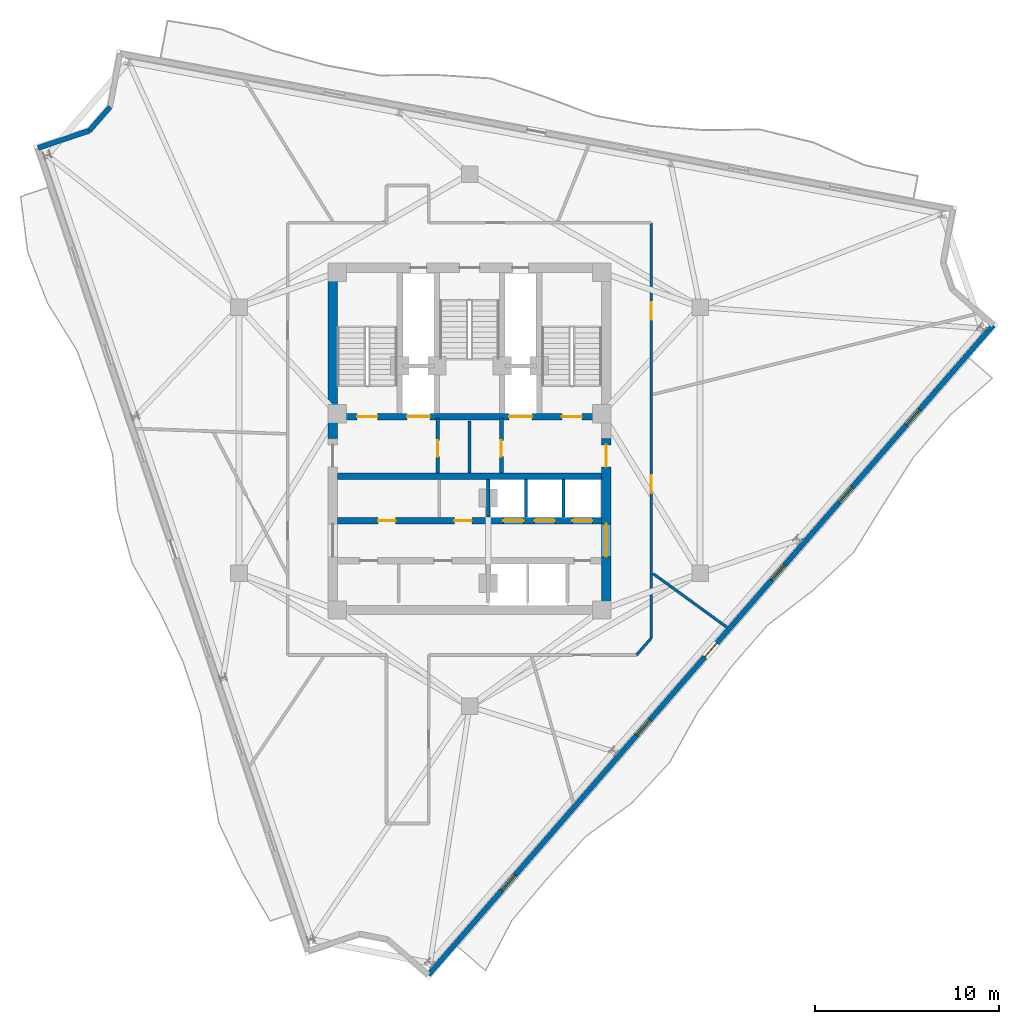
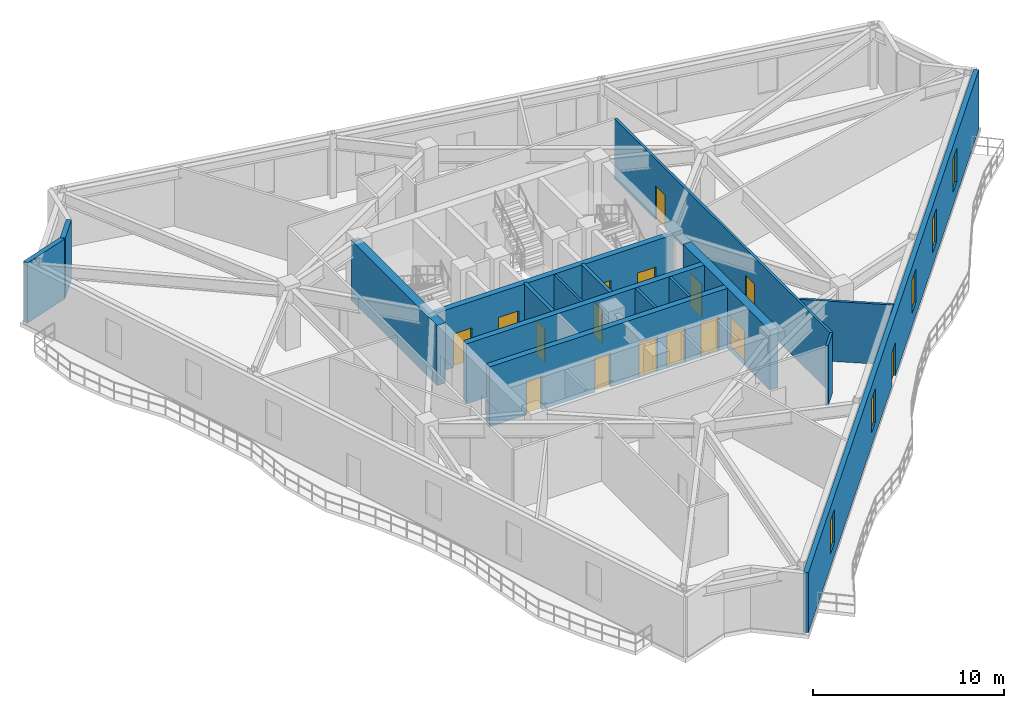
# One storey, part 5 of 9: 17 walls, 16 doors, 5 windows, 21 openings.
"""IFC4 building model written with IfcOpenShell, lengths in metres."""

from ifc_helpers import new_model, si_unit, direction, frame, frame_2d, origin, place, context, subcontext, project, spatial, rectangle, extrude, material, layer, layer_set, type_object, element, fill, save


model = new_model("IFC4")

# Units and contexts
model_context = context("Model", 3, precision=1e-05, world=origin(), true_north=direction((0.0, 1.0)))
body_context = subcontext(model_context, "Body", "Model", "MODEL_VIEW")
ifc_project = project(units=[si_unit("LENGTHUNIT", "METRE"), si_unit("AREAUNIT", "SQUARE_METRE"), si_unit("VOLUMEUNIT", "CUBIC_METRE"), si_unit("PLANEANGLEUNIT", "RADIAN"), si_unit("MASSUNIT", "GRAM", prefix="KILO")], contexts=[model_context])

# Site, building, storey
site_placement = place(None, origin())
site = spatial("IfcSite", under=ifc_project, at=site_placement, CompositionType="ELEMENT")
building_placement = place(site_placement, origin())
building = spatial("IfcBuilding", under=site, at=building_placement, Name="Apsidion Concourse Tower", CompositionType="ELEMENT")
storey_placement = place(building_placement, frame((0.0, 0.0, 273.699951171875)))
storey = spatial("IfcBuildingStorey", under=building, at=storey_placement, Name="L64", CompositionType="ELEMENT", Elevation=273.699951171875)

# Wall, openings, door, windows
ifc_material_1 = material(Name="Precast concrete C40/50", Category="concrete")
ifc_layer_1 = layer(ifc_material_1, 0.280029296875)
ifc_layer_set_1 = layer_set([ifc_layer_1], Name="Precast concrete C40/50")
wall_type_1 = type_object("IfcWallType", Name="WL-EXT-280", PredefinedType="STANDARD", material=ifc_layer_set_1)
wall_1_placement = place(storey_placement, frame((28.531494140625, 6.267578125, 0.0), z_axis=(0.0, 0.0, 1.0), x_axis=(-0.656055748756, -0.754712431674, 0.0)))
wall_1 = element("IfcWall", 1, at=wall_1_placement, inside=storey, type_object=wall_type_1, Name="L64 Precast Stone Facade Wall 05", PredefinedType="STANDARD", context=body_context, shape_type="SweptSolid", body=[
    extrude(rectangle(XDim=46.89697265625, YDim=0.280029296875, at=frame_2d((23.448486328125, 0.0))), origin(), (0.0, 0.0, 1.0), 3.85009765625),
])
opening_1_placement = place(wall_1_placement, frame((22.948486328125, 0.0, 0.0)))
opening_1 = element("IfcOpeningElement", 2, at=opening_1_placement, cuts=wall_1, Name="Opening D-T1R", PredefinedType="OPENING", context=body_context, shape_type="SweptSolid", body=[
    extrude(rectangle(XDim=1.0, YDim=2.14990234375, at=frame_2d((0.5, 1.074951171875))), frame((0.0, 0.14990234375, 0.0), z_axis=(0.0, -1.0, 0.0), x_axis=(1.0, 0.0, 0.0)), (0.0, 0.0, 1.0), 0.300048828125),
])
opening_2_placement = place(wall_1_placement, frame((6.0986328125, 0.0, 0.85009765625)))
opening_2 = element("IfcOpeningElement", 3, at=opening_2_placement, cuts=wall_1, Name="Opening WN-07", PredefinedType="OPENING", context=body_context, shape_type="SweptSolid", body=[
    extrude(rectangle(XDim=1.10009765625, YDim=2.14990234375, at=frame_2d((0.550048828125, 1.074951171875))), frame((0.0, 0.14990234375, 0.0), z_axis=(0.0, -1.0, 0.0), x_axis=(1.0, 0.0, 0.0)), (0.0, 0.0, 1.0), 0.300048828125),
])
opening_3_placement = place(wall_1_placement, frame((11.698486328125, 0.0, 0.85009765625)))
opening_3 = element("IfcOpeningElement", 4, at=opening_3_placement, cuts=wall_1, Name="Opening WN-07", PredefinedType="OPENING", context=body_context, shape_type="SweptSolid", body=[
    extrude(rectangle(XDim=1.10009765625, YDim=2.14990234375, at=frame_2d((0.550048828125, 1.074951171875))), frame((0.0, 0.14990234375, 0.0), z_axis=(0.0, -1.0, 0.0), x_axis=(1.0, 0.0, 0.0)), (0.0, 0.0, 1.0), 0.300048828125),
])
opening_4_placement = place(wall_1_placement, frame((17.298583984375, 0.0, 0.85009765625)))
opening_4 = element("IfcOpeningElement", 5, at=opening_4_placement, cuts=wall_1, Name="Opening WN-07", PredefinedType="OPENING", context=body_context, shape_type="SweptSolid", body=[
    extrude(rectangle(XDim=1.10009765625, YDim=2.14990234375, at=frame_2d((0.550048828125, 1.074951171875))), frame((0.0, 0.14990234375, 0.0), z_axis=(0.0, -1.0, 0.0), x_axis=(1.0, 0.0, 0.0)), (0.0, 0.0, 1.0), 0.300048828125),
])
opening_5_placement = place(wall_1_placement, frame((28.49853515625, 0.0, 0.85009765625)))
opening_5 = element("IfcOpeningElement", 6, at=opening_5_placement, cuts=wall_1, Name="Opening WN-07", PredefinedType="OPENING", context=body_context, shape_type="SweptSolid", body=[
    extrude(rectangle(XDim=1.10009765625, YDim=2.14990234375, at=frame_2d((0.550048828125, 1.074951171875))), frame((0.0, 0.14990234375, 0.0), z_axis=(0.0, -1.0, 0.0), x_axis=(1.0, 0.0, 0.0)), (0.0, 0.0, 1.0), 0.300048828125),
])
opening_6_placement = place(wall_1_placement, frame((39.698486328125, 0.0, 0.85009765625)))
opening_6 = element("IfcOpeningElement", 7, at=opening_6_placement, cuts=wall_1, Name="Opening WN-07", PredefinedType="OPENING", context=body_context, shape_type="SweptSolid", body=[
    extrude(rectangle(XDim=1.10009765625, YDim=2.14990234375, at=frame_2d((0.550048828125, 1.074951171875))), frame((0.0, 0.14990234375, 0.0), z_axis=(0.0, -1.0, 0.0), x_axis=(1.0, 0.0, 0.0)), (0.0, 0.0, 1.0), 0.300048828125),
])
ifc_material_2 = material(Name="Anodised aluminium EN AW-6063 T6", Category="aluminium")
door_type_1 = type_object("IfcDoorType", Name="DR-TER-1022R", OperationType="SINGLE_SWING_RIGHT", PredefinedType="DOOR", material=ifc_material_2)
door_1_placement = place(opening_1_placement, origin())
door_1 = element("IfcDoor", 8, at=door_1_placement, inside=storey, type_object=door_type_1, Name="L64 Balcony Access Door 2", OperationType="SINGLE_SWING_RIGHT", OverallHeight=2.14990234375, OverallWidth=1.0, PredefinedType="DOOR", context=body_context, shape_type="SweptSolid", body=[
    extrude(rectangle(XDim=1.0, YDim=2.14990234375, at=frame_2d((0.5, 1.074951171875))), frame((0.0, 0.02490234375, 0.0), z_axis=(0.0, -1.0, 0.0), x_axis=(1.0, 0.0, 0.0)), (0.0, 0.0, 1.0), 0.050048828125),
])
fill(opening_1, door_1)
ifc_material_3 = material(Name="Insulated laminated low-E glass", Category="glass")
window_type = type_object("IfcWindowType", Name="WN-OFF-1123", PartitioningType="SINGLE_PANEL", PredefinedType="WINDOW", material=ifc_material_3)
window_1_placement = place(opening_2_placement, origin())
window_1 = element("IfcWindow", 9, at=window_1_placement, inside=storey, type_object=window_type, Name="L64 Punched Facade Window 5-01", OverallHeight=2.14990234375, OverallWidth=1.10009765625, PartitioningType="SINGLE_PANEL", PredefinedType="WINDOW", context=body_context, shape_type="SweptSolid", body=[
    extrude(rectangle(XDim=1.10009765625, YDim=2.14990234375, at=frame_2d((0.550048828125, 1.074951171875))), frame((0.0, 0.030029296875, 0.0), z_axis=(0.0, -1.0, 0.0), x_axis=(1.0, 0.0, 0.0)), (0.0, 0.0, 1.0), 0.06005859375),
])
fill(opening_2, window_1)
window_2_placement = place(opening_3_placement, origin())
window_2 = element("IfcWindow", 10, at=window_2_placement, inside=storey, type_object=window_type, Name="L64 Punched Facade Window 5-02", OverallHeight=2.14990234375, OverallWidth=1.10009765625, PartitioningType="SINGLE_PANEL", PredefinedType="WINDOW", context=body_context, shape_type="SweptSolid", body=[
    extrude(rectangle(XDim=1.10009765625, YDim=2.14990234375, at=frame_2d((0.550048828125, 1.074951171875))), frame((0.0, 0.030029296875, 0.0), z_axis=(0.0, -1.0, 0.0), x_axis=(1.0, 0.0, 0.0)), (0.0, 0.0, 1.0), 0.06005859375),
])
fill(opening_3, window_2)
window_3_placement = place(opening_4_placement, origin())
window_3 = element("IfcWindow", 11, at=window_3_placement, inside=storey, type_object=window_type, Name="L64 Punched Facade Window 5-03", OverallHeight=2.14990234375, OverallWidth=1.10009765625, PartitioningType="SINGLE_PANEL", PredefinedType="WINDOW", context=body_context, shape_type="SweptSolid", body=[
    extrude(rectangle(XDim=1.10009765625, YDim=2.14990234375, at=frame_2d((0.550048828125, 1.074951171875))), frame((0.0, 0.030029296875, 0.0), z_axis=(0.0, -1.0, 0.0), x_axis=(1.0, 0.0, 0.0)), (0.0, 0.0, 1.0), 0.06005859375),
])
fill(opening_4, window_3)
window_4_placement = place(opening_5_placement, origin())
window_4 = element("IfcWindow", 12, at=window_4_placement, inside=storey, type_object=window_type, Name="L64 Punched Facade Window 5-05", OverallHeight=2.14990234375, OverallWidth=1.10009765625, PartitioningType="SINGLE_PANEL", PredefinedType="WINDOW", context=body_context, shape_type="SweptSolid", body=[
    extrude(rectangle(XDim=1.10009765625, YDim=2.14990234375, at=frame_2d((0.550048828125, 1.074951171875))), frame((0.0, 0.030029296875, 0.0), z_axis=(0.0, -1.0, 0.0), x_axis=(1.0, 0.0, 0.0)), (0.0, 0.0, 1.0), 0.06005859375),
])
fill(opening_5, window_4)
window_5_placement = place(opening_6_placement, origin())
window_5 = element("IfcWindow", 13, at=window_5_placement, inside=storey, type_object=window_type, Name="L64 Punched Facade Window 5-07", OverallHeight=2.14990234375, OverallWidth=1.10009765625, PartitioningType="SINGLE_PANEL", PredefinedType="WINDOW", context=body_context, shape_type="SweptSolid", body=[
    extrude(rectangle(XDim=1.10009765625, YDim=2.14990234375, at=frame_2d((0.550048828125, 1.074951171875))), frame((0.0, 0.030029296875, 0.0), z_axis=(0.0, -1.0, 0.0), x_axis=(1.0, 0.0, 0.0)), (0.0, 0.0, 1.0), 0.06005859375),
])
fill(opening_6, window_5)

# Walls
wall_2_placement = place(storey_placement, frame((-23.511474609375, 15.92431640625, 0.0), z_axis=(0.0, 0.0, 1.0), x_axis=(0.9478040536, 0.31885337693, 0.0)))
element("IfcWall", 14, at=wall_2_placement, inside=storey, type_object=wall_type_1, Name="L64 Precast Stone Facade Wall 10", PredefinedType="STANDARD", context=body_context, shape_type="SweptSolid", body=[
    extrude(rectangle(XDim=2.95556640625, YDim=0.280029296875, at=frame_2d((1.477783203125, 0.0))), origin(), (0.0, 0.0, 1.0), 3.85009765625),
])
wall_3_placement = place(storey_placement, frame((-20.710205078125, 16.86669921875, 0.0), z_axis=(0.0, 0.0, 1.0), x_axis=(0.656062411204, 0.754706640096, 0.0)))
element("IfcWall", 15, at=wall_3_placement, inside=storey, type_object=wall_type_1, Name="L64 Precast Stone Facade Wall 11", PredefinedType="STANDARD", context=body_context, shape_type="SweptSolid", body=[
    extrude(rectangle(XDim=1.715087890625, YDim=0.280029296875, at=frame_2d((0.857421875, 0.0))), origin(), (0.0, 0.0, 1.0), 3.85009765625),
])
ifc_material_4 = material(Name="Gypsum plasterboard partition")
ifc_layer_2 = layer(ifc_material_4, 0.14990234375)
ifc_layer_set_2 = layer_set([ifc_layer_2], Name="Gypsum plasterboard partition")
wall_type_2 = type_object("IfcWallType", Name="WL-INT-PAR-150", PredefinedType="PARTITIONING", material=ifc_layer_set_2)
for number, where, z_axis, x_axis, name in (
    (16, (3.074951171875, -4.179931640625, 0.0), (0.0, 0.0, 1.0), (0.0, 1.0, 0.0), "L64 Interior Partition WL-L64-B3DIV-1"),
    (17, (5.125, -4.179931640625, 0.0), (0.0, 0.0, 1.0), (0.0, 1.0, 0.0), "L64 Interior Partition WL-L64-B3DIV-2"),
):
    element("IfcWall", number, at=place(storey_placement, frame(where, z_axis=z_axis, x_axis=x_axis)), inside=storey, type_object=wall_type_2, Name=name, PredefinedType="PARTITIONING", context=body_context, shape_type="SweptSolid", body=[
        extrude(rectangle(XDim=2.030029296875, YDim=0.14990234375, at=frame_2d((1.01513671875, 0.0))), origin(), (0.0, 0.0, 1.0), 3.85009765625),
    ])
wall_4_placement = place(storey_placement, frame((0.0, -1.780029296875, 0.0), z_axis=(0.0, 0.0, 1.0), x_axis=(0.0, 1.0, 0.0)))
element("IfcWall", 18, at=wall_4_placement, inside=storey, type_object=wall_type_2, Name="L64 Interior Partition WL-L64-K3V", PredefinedType="PARTITIONING", context=body_context, shape_type="SweptSolid", body=[
    extrude(rectangle(XDim=2.830078125, YDim=0.14990234375, at=frame_2d((1.4150390625, 0.0))), origin(), (0.0, 0.0, 1.0), 3.85009765625),
])

# Wall, openings, doors
wall_5_placement = place(storey_placement, frame((9.89990234375, 11.85009765625, 0.0), z_axis=(0.0, 0.0, 1.0), x_axis=(0.0, -1.0, 0.0)))
wall_5 = element("IfcWall", 19, at=wall_5_placement, inside=storey, type_object=wall_type_2, Name="L64 Interior Partition WL-L64-CORR-08", PredefinedType="PARTITIONING", context=body_context, shape_type="SweptSolid", body=[
    extrude(rectangle(XDim=22.633544921875, YDim=0.14990234375, at=frame_2d((11.31689453125, 0.0))), origin(), (0.0, 0.0, 1.0), 3.85009765625),
])
opening_7_placement = place(wall_5_placement, frame((13.763671875, 0.0, 0.0)))
opening_7 = element("IfcOpeningElement", 20, at=opening_7_placement, cuts=wall_5, Name="Opening D-01R", PredefinedType="OPENING", context=body_context, shape_type="SweptSolid", body=[
    extrude(rectangle(XDim=0.949951171875, YDim=2.14990234375, at=frame_2d((0.47509765625, 1.074951171875))), frame((0.0, 0.0849609375, 0.0), z_axis=(0.0, -1.0, 0.0), x_axis=(1.0, 0.0, 0.0)), (0.0, 0.0, 1.0), 0.169921875),
])
opening_8_placement = place(wall_5_placement, frame((4.33251953125, 0.0, 0.0)))
opening_8 = element("IfcOpeningElement", 21, at=opening_8_placement, cuts=wall_5, Name="Opening D-01L", PredefinedType="OPENING", context=body_context, shape_type="SweptSolid", body=[
    extrude(rectangle(XDim=0.949951171875, YDim=2.14990234375, at=frame_2d((0.47509765625, 1.074951171875))), frame((0.0, 0.0849609375, 0.0), z_axis=(0.0, -1.0, 0.0), x_axis=(1.0, 0.0, 0.0)), (0.0, 0.0, 1.0), 0.169921875),
])
ifc_material_5 = material(Name="Brushed stainless steel 316", Category="steel")
door_type_2 = type_object("IfcDoorType", Name="DR-INT-D01L", OperationType="SINGLE_SWING_LEFT", PredefinedType="DOOR", material=ifc_material_5)
door_2_placement = place(opening_8_placement, origin())
door_2 = element("IfcDoor", 22, at=door_2_placement, inside=storey, type_object=door_type_2, Name="L64 Corridor Entry Door 05", OperationType="SINGLE_SWING_LEFT", OverallHeight=2.14990234375, OverallWidth=0.949951171875, PredefinedType="DOOR", context=body_context, shape_type="SweptSolid", body=[
    extrude(rectangle(XDim=0.949951171875, YDim=2.14990234375, at=frame_2d((0.47509765625, 1.074951171875))), frame((0.0, 0.02490234375, 0.0), z_axis=(0.0, -1.0, 0.0), x_axis=(1.0, 0.0, 0.0)), (0.0, 0.0, 1.0), 0.050048828125),
])
fill(opening_8, door_2)
door_type_3 = type_object("IfcDoorType", Name="DR-INT-D01R", OperationType="SINGLE_SWING_RIGHT", PredefinedType="DOOR", material=ifc_material_5)
door_3_placement = place(opening_7_placement, origin())
door_3 = element("IfcDoor", 23, at=door_3_placement, inside=storey, type_object=door_type_3, Name="L64 Corridor Entry Door 04", OperationType="SINGLE_SWING_RIGHT", OverallHeight=2.14990234375, OverallWidth=0.949951171875, PredefinedType="DOOR", context=body_context, shape_type="SweptSolid", body=[
    extrude(rectangle(XDim=0.949951171875, YDim=2.14990234375, at=frame_2d((0.47509765625, 1.074951171875))), frame((0.0, 0.02490234375, 0.0), z_axis=(0.0, -1.0, 0.0), x_axis=(1.0, 0.0, 0.0)), (0.0, 0.0, 1.0), 0.050048828125),
])
fill(opening_7, door_3)

# Walls
wall_6_placement = place(storey_placement, frame((9.89990234375, -10.783447265625, 0.0), z_axis=(0.0, 0.0, 1.0), x_axis=(-0.656024397367, -0.754739683639, 0.0)))
element("IfcWall", 24, at=wall_6_placement, inside=storey, type_object=wall_type_2, Name="L64 Interior Partition WL-L64-CORR-09", PredefinedType="PARTITIONING", context=body_context, shape_type="SweptSolid", body=[
    extrude(rectangle(XDim=1.21435546875, YDim=0.14990234375, at=frame_2d((0.607177734375, 0.0))), origin(), (0.0, 0.0, 1.0), 3.85009765625),
])
wall_7_placement = place(storey_placement, frame((10.0048828125, -7.26904296875, 0.0), z_axis=(0.0, 0.0, 1.0), x_axis=(0.809029403969, -0.587768171572, 0.0)))
element("IfcWall", 25, at=wall_7_placement, inside=storey, type_object=wall_type_2, Name="L64 Interior Partition WL-L64-RAD-07-1", PredefinedType="PARTITIONING", context=body_context, shape_type="SweptSolid", body=[
    extrude(rectangle(XDim=4.96533203125, YDim=0.14990234375, at=frame_2d((2.482666015625, 0.0))), origin(), (0.0, 0.0, 1.0), 3.85009765625),
])
ifc_layer_3 = layer(ifc_material_4, 0.179931640625)
ifc_layer_set_3 = layer_set([ifc_layer_3], Name="Gypsum plasterboard partition")
wall_type_3 = type_object("IfcWallType", Name="WL-INT-PAR-180", PredefinedType="PARTITIONING", material=ifc_layer_set_3)
wall_8_placement = place(storey_placement, frame((1.02490234375, -4.179931640625, 0.0), z_axis=(0.0, 0.0, 1.0), x_axis=(0.0, 1.0, 0.0)))
element("IfcWall", 26, at=wall_8_placement, inside=storey, type_object=wall_type_3, Name="L64 Interior Partition WL-L64-B1END", PredefinedType="PARTITIONING", context=body_context, shape_type="SweptSolid", body=[
    extrude(rectangle(XDim=2.030029296875, YDim=0.179931640625, at=frame_2d((1.01513671875, 0.0))), origin(), (0.0, 0.0, 1.0), 2.89794921875),
])

# Wall, opening, door
ifc_layer_4 = layer(ifc_material_4, 0.199951171875)
ifc_layer_set_4 = layer_set([ifc_layer_4], Name="Gypsum plasterboard partition")
wall_type_4 = type_object("IfcWallType", Name="WL-INT-PAR-200", PredefinedType="PARTITIONING", material=ifc_layer_set_4)
wall_9_placement = place(storey_placement, frame((-1.739990234375, -1.780029296875, 0.0), z_axis=(0.0, 0.0, 1.0), x_axis=(0.0, 1.0, 0.0)))
wall_9 = element("IfcWall", 27, at=wall_9_placement, inside=storey, type_object=wall_type_4, Name="L64 Interior Partition WL-L64-FF1-E", PredefinedType="PARTITIONING", context=body_context, shape_type="SweptSolid", body=[
    extrude(rectangle(XDim=2.97998046875, YDim=0.199951171875, at=frame_2d((1.489990234375, 0.0))), origin(), (0.0, 0.0, 1.0), 3.85009765625),
])
opening_9_placement = place(wall_9_placement, frame((0.889892578125, 0.0, 0.0)))
opening_9 = element("IfcOpeningElement", 28, at=opening_9_placement, cuts=wall_9, Name="Opening D-05R", PredefinedType="OPENING", context=body_context, shape_type="SweptSolid", body=[
    extrude(rectangle(XDim=0.8798828125, YDim=2.14990234375, at=frame_2d((0.43994140625, 1.074951171875))), frame((0.0, 0.10986328125, 0.0), z_axis=(0.0, -1.0, 0.0), x_axis=(1.0, 0.0, 0.0)), (0.0, 0.0, 1.0), 0.219970703125),
])
door_type_4 = type_object("IfcDoorType", Name="DR-INT-D05R", OperationType="SINGLE_SWING_RIGHT", PredefinedType="DOOR", material=ifc_material_5)
door_4_placement = place(opening_9_placement, origin())
door_4 = element("IfcDoor", 29, at=door_4_placement, inside=storey, type_object=door_type_4, Name="L64 Core Pantry Door", OperationType="SINGLE_SWING_RIGHT", OverallHeight=2.14990234375, OverallWidth=0.8798828125, PredefinedType="DOOR", context=body_context, shape_type="SweptSolid", body=[
    extrude(rectangle(XDim=0.8798828125, YDim=2.14990234375, at=frame_2d((0.43994140625, 1.074951171875))), frame((0.0, 0.02490234375, 0.0), z_axis=(0.0, -1.0, 0.0), x_axis=(1.0, 0.0, 0.0)), (0.0, 0.0, 1.0), 0.050048828125),
])
fill(opening_9, door_4)

wall_10_placement = place(storey_placement, frame((1.739990234375, -1.780029296875, 0.0), z_axis=(0.0, 0.0, 1.0), x_axis=(0.0, 1.0, 0.0)))
wall_10 = element("IfcWall", 30, at=wall_10_placement, inside=storey, type_object=wall_type_4, Name="L64 Interior Partition WL-L64-FF2-W", PredefinedType="PARTITIONING", context=body_context, shape_type="SweptSolid", body=[
    extrude(rectangle(XDim=2.97998046875, YDim=0.199951171875, at=frame_2d((1.489990234375, 0.0))), origin(), (0.0, 0.0, 1.0), 3.85009765625),
])
opening_10_placement = place(wall_10_placement, frame((0.889892578125, 0.0, 0.0)))
opening_10 = element("IfcOpeningElement", 31, at=opening_10_placement, cuts=wall_10, Name="Opening D-05L", PredefinedType="OPENING", context=body_context, shape_type="SweptSolid", body=[
    extrude(rectangle(XDim=0.8798828125, YDim=2.14990234375, at=frame_2d((0.43994140625, 1.074951171875))), frame((0.0, 0.10986328125, 0.0), z_axis=(0.0, -1.0, 0.0), x_axis=(1.0, 0.0, 0.0)), (0.0, 0.0, 1.0), 0.219970703125),
])
door_type_5 = type_object("IfcDoorType", Name="DR-INT-D05L", OperationType="SINGLE_SWING_LEFT", PredefinedType="DOOR", material=ifc_material_5)
door_5_placement = place(opening_10_placement, origin())
door_5 = element("IfcDoor", 32, at=door_5_placement, inside=storey, type_object=door_type_5, Name="L64 Core Electrical Door", OperationType="SINGLE_SWING_LEFT", OverallHeight=2.14990234375, OverallWidth=0.8798828125, PredefinedType="DOOR", context=body_context, shape_type="SweptSolid", body=[
    extrude(rectangle(XDim=0.8798828125, YDim=2.14990234375, at=frame_2d((0.43994140625, 1.074951171875))), frame((0.0, 0.02490234375, 0.0), z_axis=(0.0, -1.0, 0.0), x_axis=(1.0, 0.0, 0.0)), (0.0, 0.0, 1.0), 0.050048828125),
])
fill(opening_10, door_5)

# Wall, openings, doors
ifc_material_6 = material(Name="Concrete C50/60", Category="concrete")
ifc_layer_5 = layer(ifc_material_6, 0.35009765625)
ifc_layer_set_5 = layer_set([ifc_layer_5], Name="Concrete C50/60")
wall_type_5 = type_object("IfcWallType", Name="WL-SH-350", PredefinedType="SHEAR", material=ifc_layer_set_5)
wall_11_placement = place(storey_placement, frame((-7.199951171875, 1.27490234375, 0.0), z_axis=(0.0, 0.0, 1.0), x_axis=(1.0, 0.0, 0.0)))
wall_11 = element("IfcWall", 33, at=wall_11_placement, inside=storey, type_object=wall_type_5, Name="L64 Central Core Shear Wall M1", PredefinedType="SHEAR", context=body_context, shape_type="SweptSolid", body=[
    extrude(rectangle(XDim=14.39990234375, YDim=0.35009765625, at=frame_2d((7.199951171875, 0.0))), origin(), (0.0, 0.0, 1.0), 3.85009765625),
])
opening_11_placement = place(wall_11_placement, frame((3.794921875, 0.0, 0.0)))
opening_11 = element("IfcOpeningElement", 34, at=opening_11_placement, cuts=wall_11, Name="Opening LD-FF", PredefinedType="OPENING", context=body_context, shape_type="SweptSolid", body=[
    extrude(rectangle(XDim=1.25, YDim=2.25, at=frame_2d((0.625, 1.125))), frame((0.0, 0.18505859375, 0.0), z_axis=(0.0, -1.0, 0.0), x_axis=(1.0, 0.0, 0.0)), (0.0, 0.0, 1.0), 0.3701171875),
])
opening_12_placement = place(wall_11_placement, frame((9.35498046875, 0.0, 0.0)))
opening_12 = element("IfcOpeningElement", 35, at=opening_12_placement, cuts=wall_11, Name="Opening LD-FF", PredefinedType="OPENING", context=body_context, shape_type="SweptSolid", body=[
    extrude(rectangle(XDim=1.25, YDim=2.25, at=frame_2d((0.625, 1.125))), frame((0.0, 0.18505859375, 0.0), z_axis=(0.0, -1.0, 0.0), x_axis=(1.0, 0.0, 0.0)), (0.0, 0.0, 1.0), 0.3701171875),
])
opening_13_placement = place(wall_11_placement, frame((1.074951171875, 0.0, 0.0)))
opening_13 = element("IfcOpeningElement", 36, at=opening_13_placement, cuts=wall_11, Name="Opening D-STL", PredefinedType="OPENING", context=body_context, shape_type="SweptSolid", body=[
    extrude(rectangle(XDim=1.10009765625, YDim=2.14990234375, at=frame_2d((0.550048828125, 1.074951171875))), frame((0.0, 0.18505859375, 0.0), z_axis=(0.0, -1.0, 0.0), x_axis=(1.0, 0.0, 0.0)), (0.0, 0.0, 1.0), 0.3701171875),
])
opening_14_placement = place(wall_11_placement, frame((12.22509765625, 0.0, 0.0)))
opening_14 = element("IfcOpeningElement", 37, at=opening_14_placement, cuts=wall_11, Name="Opening D-STR", PredefinedType="OPENING", context=body_context, shape_type="SweptSolid", body=[
    extrude(rectangle(XDim=1.10009765625, YDim=2.14990234375, at=frame_2d((0.550048828125, 1.074951171875))), frame((0.0, 0.18505859375, 0.0), z_axis=(0.0, -1.0, 0.0), x_axis=(1.0, 0.0, 0.0)), (0.0, 0.0, 1.0), 0.3701171875),
])
door_type_6 = type_object("IfcDoorType", Name="DR-INT-ST1L", OperationType="SINGLE_SWING_LEFT", PredefinedType="DOOR", material=ifc_material_5)
door_6_placement = place(opening_13_placement, origin())
door_6 = element("IfcDoor", 38, at=door_6_placement, inside=storey, type_object=door_type_6, Name="L64 Core Exit Stair ST1 Door", OperationType="SINGLE_SWING_LEFT", OverallHeight=2.14990234375, OverallWidth=1.10009765625, PredefinedType="DOOR", context=body_context, shape_type="SweptSolid", body=[
    extrude(rectangle(XDim=1.10009765625, YDim=2.14990234375, at=frame_2d((0.550048828125, 1.074951171875))), frame((0.0, 0.02490234375, 0.0), z_axis=(0.0, -1.0, 0.0), x_axis=(1.0, 0.0, 0.0)), (0.0, 0.0, 1.0), 0.050048828125),
])
fill(opening_13, door_6)
door_type_7 = type_object("IfcDoorType", Name="DR-INT-ST1R", OperationType="SINGLE_SWING_RIGHT", PredefinedType="DOOR", material=ifc_material_5)
door_7_placement = place(opening_14_placement, origin())
door_7 = element("IfcDoor", 39, at=door_7_placement, inside=storey, type_object=door_type_7, Name="L64 Core Exit Stair ST2 Door", OperationType="SINGLE_SWING_RIGHT", OverallHeight=2.14990234375, OverallWidth=1.10009765625, PredefinedType="DOOR", context=body_context, shape_type="SweptSolid", body=[
    extrude(rectangle(XDim=1.10009765625, YDim=2.14990234375, at=frame_2d((0.550048828125, 1.074951171875))), frame((0.0, 0.02490234375, 0.0), z_axis=(0.0, -1.0, 0.0), x_axis=(1.0, 0.0, 0.0)), (0.0, 0.0, 1.0), 0.050048828125),
])
fill(opening_14, door_7)
door_type_8 = type_object("IfcDoorType", Name="DR-LD-FSAE", OperationType="DOUBLE_DOOR_SLIDING", PredefinedType="DOOR", material=ifc_material_5)
door_8_placement = place(opening_11_placement, origin())
door_8 = element("IfcDoor", 40, at=door_8_placement, inside=storey, type_object=door_type_8, Name="L64 Lift Landing Door FF1", OperationType="DOUBLE_DOOR_SLIDING", OverallHeight=2.25, OverallWidth=1.25, PredefinedType="DOOR", context=body_context, shape_type="SweptSolid", body=[
    extrude(rectangle(XDim=1.25, YDim=2.25, at=frame_2d((0.625, 1.125))), frame((0.0, 0.02490234375, 0.0), z_axis=(0.0, -1.0, 0.0), x_axis=(1.0, 0.0, 0.0)), (0.0, 0.0, 1.0), 0.050048828125),
])
fill(opening_11, door_8)
door_9_placement = place(opening_12_placement, origin())
door_9 = element("IfcDoor", 41, at=door_9_placement, inside=storey, type_object=door_type_8, Name="L64 Lift Landing Door FF2", OperationType="DOUBLE_DOOR_SLIDING", OverallHeight=2.25, OverallWidth=1.25, PredefinedType="DOOR", context=body_context, shape_type="SweptSolid", body=[
    extrude(rectangle(XDim=1.25, YDim=2.25, at=frame_2d((0.625, 1.125))), frame((0.0, 0.02490234375, 0.0), z_axis=(0.0, -1.0, 0.0), x_axis=(1.0, 0.0, 0.0)), (0.0, 0.0, 1.0), 0.050048828125),
])
fill(opening_12, door_9)

# Wall
wall_12_placement = place(storey_placement, frame((-7.199951171875, -1.949951171875, 0.0), z_axis=(0.0, 0.0, 1.0), x_axis=(1.0, 0.0, 0.0)))
element("IfcWall", 42, at=wall_12_placement, inside=storey, type_object=wall_type_5, Name="L64 Central Core Shear Wall M2", PredefinedType="SHEAR", context=body_context, shape_type="SweptSolid", body=[
    extrude(rectangle(XDim=14.39990234375, YDim=0.35009765625, at=frame_2d((7.199951171875, 0.0))), origin(), (0.0, 0.0, 1.0), 3.85009765625),
])

# Wall, openings, doors
wall_13_placement = place(storey_placement, frame((-7.199951171875, -4.3798828125, 0.0), z_axis=(0.0, 0.0, 1.0), x_axis=(1.0, 0.0, 0.0)))
wall_13 = element("IfcWall", 43, at=wall_13_placement, inside=storey, type_object=wall_type_5, Name="L64 Central Core Shear Wall LA", PredefinedType="SHEAR", context=body_context, shape_type="SweptSolid", body=[
    extrude(rectangle(XDim=14.39990234375, YDim=0.35009765625, at=frame_2d((7.199951171875, 0.0))), origin(), (0.0, 0.0, 1.0), 3.85009765625),
])
opening_15_placement = place(wall_13_placement, frame((9.050048828125, 0.0, 0.0)))
opening_15 = element("IfcOpeningElement", 44, at=opening_15_placement, cuts=wall_13, Name="Opening LD-P1", PredefinedType="OPENING", context=body_context, shape_type="SweptSolid", body=[
    extrude(rectangle(XDim=1.10009765625, YDim=2.199951171875, at=frame_2d((0.550048828125, 1.10009765625))), frame((0.0, 0.18505859375, 0.0), z_axis=(0.0, -1.0, 0.0), x_axis=(1.0, 0.0, 0.0)), (0.0, 0.0, 1.0), 0.3701171875),
])
opening_16_placement = place(wall_13_placement, frame((10.75, 0.0, 0.0)))
opening_16 = element("IfcOpeningElement", 45, at=opening_16_placement, cuts=wall_13, Name="Opening LD-P1", PredefinedType="OPENING", context=body_context, shape_type="SweptSolid", body=[
    extrude(rectangle(XDim=1.10009765625, YDim=2.199951171875, at=frame_2d((0.550048828125, 1.10009765625))), frame((0.0, 0.18505859375, 0.0), z_axis=(0.0, -1.0, 0.0), x_axis=(1.0, 0.0, 0.0)), (0.0, 0.0, 1.0), 0.3701171875),
])
opening_17_placement = place(wall_13_placement, frame((12.800048828125, 0.0, 0.0)))
opening_17 = element("IfcOpeningElement", 46, at=opening_17_placement, cuts=wall_13, Name="Opening LD-P1", PredefinedType="OPENING", context=body_context, shape_type="SweptSolid", body=[
    extrude(rectangle(XDim=1.10009765625, YDim=2.199951171875, at=frame_2d((0.550048828125, 1.10009765625))), frame((0.0, 0.18505859375, 0.0), z_axis=(0.0, -1.0, 0.0), x_axis=(1.0, 0.0, 0.0)), (0.0, 0.0, 1.0), 0.3701171875),
])
opening_18_placement = place(wall_13_placement, frame((2.22509765625, 0.0, 0.0)))
opening_18 = element("IfcOpeningElement", 47, at=opening_18_placement, cuts=wall_13, Name="Opening D-04L", PredefinedType="OPENING", context=body_context, shape_type="SweptSolid", body=[
    extrude(rectangle(XDim=0.949951171875, YDim=2.14990234375, at=frame_2d((0.47509765625, 1.074951171875))), frame((0.0, 0.18505859375, 0.0), z_axis=(0.0, -1.0, 0.0), x_axis=(1.0, 0.0, 0.0)), (0.0, 0.0, 1.0), 0.3701171875),
])
opening_19_placement = place(wall_13_placement, frame((6.375, 0.0, 0.0)))
opening_19 = element("IfcOpeningElement", 48, at=opening_19_placement, cuts=wall_13, Name="Opening D-04R", PredefinedType="OPENING", context=body_context, shape_type="SweptSolid", body=[
    extrude(rectangle(XDim=0.949951171875, YDim=2.14990234375, at=frame_2d((0.47509765625, 1.074951171875))), frame((0.0, 0.18505859375, 0.0), z_axis=(0.0, -1.0, 0.0), x_axis=(1.0, 0.0, 0.0)), (0.0, 0.0, 1.0), 0.3701171875),
])
door_type_9 = type_object("IfcDoorType", Name="DR-INT-D04L", OperationType="SINGLE_SWING_LEFT", PredefinedType="DOOR", material=ifc_material_5)
door_10_placement = place(opening_18_placement, origin())
door_10 = element("IfcDoor", 49, at=door_10_placement, inside=storey, type_object=door_type_9, Name="L64 Tenant Records Archive Room Door", OperationType="SINGLE_SWING_LEFT", OverallHeight=2.14990234375, OverallWidth=0.949951171875, PredefinedType="DOOR", context=body_context, shape_type="SweptSolid", body=[
    extrude(rectangle(XDim=0.949951171875, YDim=2.14990234375, at=frame_2d((0.47509765625, 1.074951171875))), frame((0.0, 0.02490234375, 0.0), z_axis=(0.0, -1.0, 0.0), x_axis=(1.0, 0.0, 0.0)), (0.0, 0.0, 1.0), 0.050048828125),
])
fill(opening_18, door_10)
door_type_10 = type_object("IfcDoorType", Name="DR-INT-D04R", OperationType="SINGLE_SWING_RIGHT", PredefinedType="DOOR", material=ifc_material_5)
door_11_placement = place(opening_19_placement, origin())
door_11 = element("IfcDoor", 50, at=door_11_placement, inside=storey, type_object=door_type_10, Name="L64 Core Beverage Pantry Door", OperationType="SINGLE_SWING_RIGHT", OverallHeight=2.14990234375, OverallWidth=0.949951171875, PredefinedType="DOOR", context=body_context, shape_type="SweptSolid", body=[
    extrude(rectangle(XDim=0.949951171875, YDim=2.14990234375, at=frame_2d((0.47509765625, 1.074951171875))), frame((0.0, 0.02490234375, 0.0), z_axis=(0.0, -1.0, 0.0), x_axis=(1.0, 0.0, 0.0)), (0.0, 0.0, 1.0), 0.050048828125),
])
fill(opening_19, door_11)
door_type_11 = type_object("IfcDoorType", Name="DR-LD-PASS", OperationType="DOUBLE_DOOR_SLIDING", PredefinedType="DOOR", material=ifc_material_5)
door_12_placement = place(opening_15_placement, origin())
door_12 = element("IfcDoor", 51, at=door_12_placement, inside=storey, type_object=door_type_11, Name="L64 Lift Landing Door P9", OperationType="DOUBLE_DOOR_SLIDING", OverallHeight=2.199951171875, OverallWidth=1.10009765625, PredefinedType="DOOR", context=body_context, shape_type="SweptSolid", body=[
    extrude(rectangle(XDim=1.10009765625, YDim=2.199951171875, at=frame_2d((0.550048828125, 1.10009765625))), frame((0.0, 0.02490234375, 0.0), z_axis=(0.0, -1.0, 0.0), x_axis=(1.0, 0.0, 0.0)), (0.0, 0.0, 1.0), 0.050048828125),
])
fill(opening_15, door_12)
door_13_placement = place(opening_16_placement, origin())
door_13 = element("IfcDoor", 52, at=door_13_placement, inside=storey, type_object=door_type_11, Name="L64 Lift Landing Door P10", OperationType="DOUBLE_DOOR_SLIDING", OverallHeight=2.199951171875, OverallWidth=1.10009765625, PredefinedType="DOOR", context=body_context, shape_type="SweptSolid", body=[
    extrude(rectangle(XDim=1.10009765625, YDim=2.199951171875, at=frame_2d((0.550048828125, 1.10009765625))), frame((0.0, 0.02490234375, 0.0), z_axis=(0.0, -1.0, 0.0), x_axis=(1.0, 0.0, 0.0)), (0.0, 0.0, 1.0), 0.050048828125),
])
fill(opening_16, door_13)
door_14_placement = place(opening_17_placement, origin())
door_14 = element("IfcDoor", 53, at=door_14_placement, inside=storey, type_object=door_type_11, Name="L64 Lift Landing Door P11", OperationType="DOUBLE_DOOR_SLIDING", OverallHeight=2.199951171875, OverallWidth=1.10009765625, PredefinedType="DOOR", context=body_context, shape_type="SweptSolid", body=[
    extrude(rectangle(XDim=1.10009765625, YDim=2.199951171875, at=frame_2d((0.550048828125, 1.10009765625))), frame((0.0, 0.02490234375, 0.0), z_axis=(0.0, -1.0, 0.0), x_axis=(1.0, 0.0, 0.0)), (0.0, 0.0, 1.0), 0.050048828125),
])
fill(opening_17, door_14)

# Wall
ifc_layer_6 = layer(ifc_material_6, 0.5)
ifc_layer_set_6 = layer_set([ifc_layer_6], Name="Concrete C50/60")
wall_type_6 = type_object("IfcWallType", Name="WL-SH-500", PredefinedType="SHEAR", material=ifc_layer_set_6)
wall_14_placement = place(storey_placement, frame((-7.449951171875, 0.10009765625, 0.0), z_axis=(0.0, 0.0, 1.0), x_axis=(0.0, 1.0, 0.0)))
element("IfcWall", 54, at=wall_14_placement, inside=storey, type_object=wall_type_6, Name="L64 Central Core Shear Wall WN", PredefinedType="SHEAR", context=body_context, shape_type="SweptSolid", body=[
    extrude(rectangle(XDim=9.0498046875, YDim=0.5, at=frame_2d((4.52490234375, 0.0))), origin(), (0.0, 0.0, 1.0), 3.85009765625),
])

# Wall, openings, doors
wall_15_placement = place(storey_placement, frame((7.449951171875, -9.0, 0.0), z_axis=(0.0, 0.0, 1.0), x_axis=(0.0, 1.0, 0.0)))
wall_15 = element("IfcWall", 55, at=wall_15_placement, inside=storey, type_object=wall_type_6, Name="L64 Central Core Shear Wall ES", PredefinedType="SHEAR", context=body_context, shape_type="SweptSolid", body=[
    extrude(rectangle(XDim=9.10009765625, YDim=0.5, at=frame_2d((4.550048828125, 0.0))), origin(), (0.0, 0.0, 1.0), 3.85009765625),
])
opening_20_placement = place(wall_15_placement, frame((2.639892578125, 0.0, 0.0)))
opening_20 = element("IfcOpeningElement", 56, at=opening_20_placement, cuts=wall_15, Name="Opening D-06D", PredefinedType="OPENING", context=body_context, shape_type="SweptSolid", body=[
    extrude(rectangle(XDim=1.800048828125, YDim=2.199951171875, at=frame_2d((0.89990234375, 1.10009765625))), frame((0.0, 0.260009765625, 0.0), z_axis=(0.0, -1.0, 0.0), x_axis=(1.0, 0.0, 0.0)), (0.0, 0.0, 1.0), 0.52001953125),
])
opening_21_placement = place(wall_15_placement, frame((7.550048828125, 0.0, 0.0)))
opening_21 = element("IfcOpeningElement", 57, at=opening_21_placement, cuts=wall_15, Name="Opening D-FFR", PredefinedType="OPENING", context=body_context, shape_type="SweptSolid", body=[
    extrude(rectangle(XDim=1.199951171875, YDim=2.14990234375, at=frame_2d((0.60009765625, 1.074951171875))), frame((0.0, 0.260009765625, 0.0), z_axis=(0.0, -1.0, 0.0), x_axis=(1.0, 0.0, 0.0)), (0.0, 0.0, 1.0), 0.52001953125),
])
door_type_12 = type_object("IfcDoorType", Name="DR-INT-D06D", OperationType="DOUBLE_DOOR_SINGLE_SWING", PredefinedType="DOOR", material=ifc_material_5)
door_15_placement = place(opening_20_placement, origin())
door_15 = element("IfcDoor", 58, at=door_15_placement, inside=storey, type_object=door_type_12, Name="L64 Passenger Lift Lobby ES Portal Door", OperationType="DOUBLE_DOOR_SINGLE_SWING", OverallHeight=2.199951171875, OverallWidth=1.800048828125, PredefinedType="DOOR", context=body_context, shape_type="SweptSolid", body=[
    extrude(rectangle(XDim=1.800048828125, YDim=2.199951171875, at=frame_2d((0.89990234375, 1.10009765625))), frame((0.0, 0.02490234375, 0.0), z_axis=(0.0, -1.0, 0.0), x_axis=(1.0, 0.0, 0.0)), (0.0, 0.0, 1.0), 0.050048828125),
])
fill(opening_20, door_15)
door_type_13 = type_object("IfcDoorType", Name="DR-INT-FFR", OperationType="SINGLE_SWING_RIGHT", PredefinedType="DOOR", material=ifc_material_5)
door_16_placement = place(opening_21_placement, origin())
door_16 = element("IfcDoor", 59, at=door_16_placement, inside=storey, type_object=door_type_13, Name="L64 Firefighting Lift Lobby FF2 Door", OperationType="SINGLE_SWING_RIGHT", OverallHeight=2.14990234375, OverallWidth=1.199951171875, PredefinedType="DOOR", context=body_context, shape_type="SweptSolid", body=[
    extrude(rectangle(XDim=1.199951171875, YDim=2.14990234375, at=frame_2d((0.60009765625, 1.074951171875))), frame((0.0, 0.02490234375, 0.0), z_axis=(0.0, -1.0, 0.0), x_axis=(1.0, 0.0, 0.0)), (0.0, 0.0, 1.0), 0.050048828125),
])
fill(opening_21, door_16)

save(model, "model.ifc")
